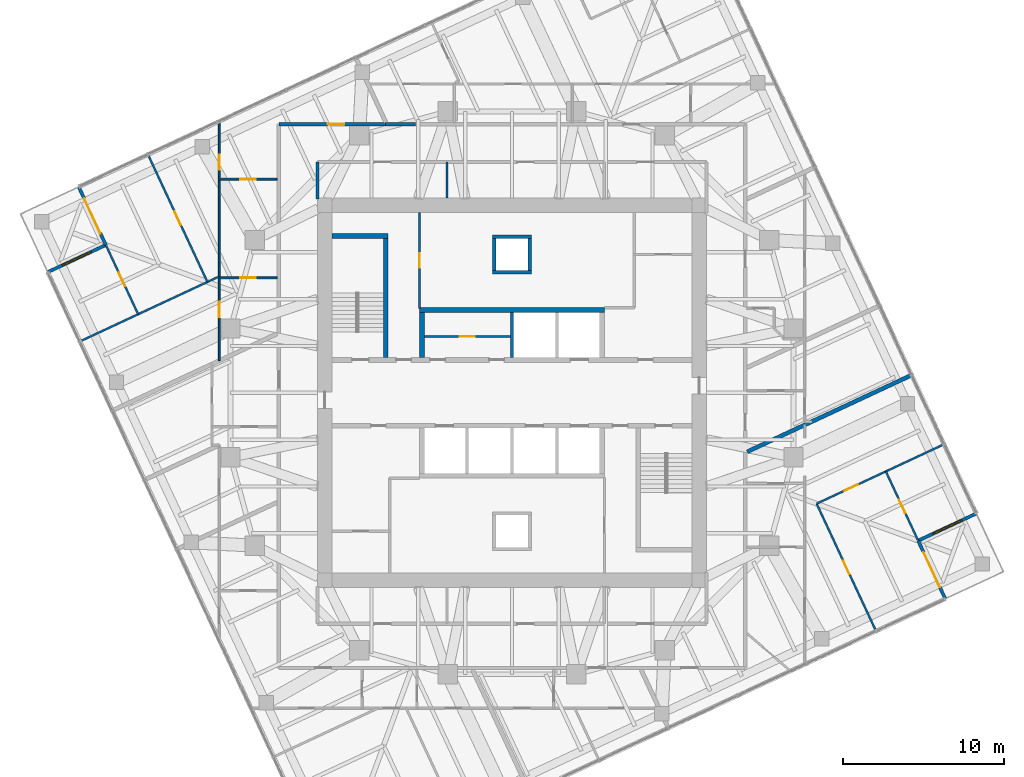
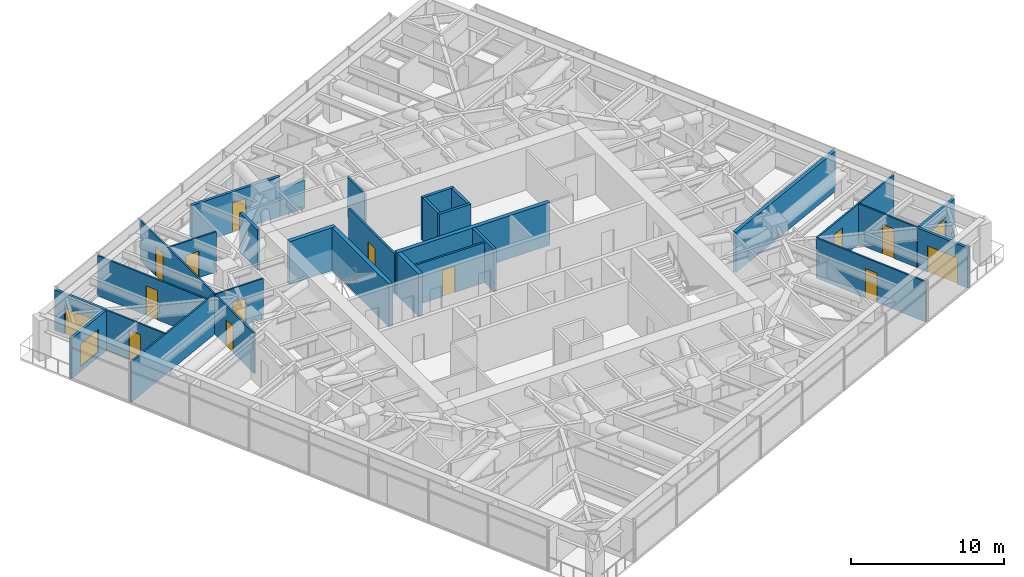
# One storey, part 12 of 16: 29 walls, 14 doors, 2 windows, 16 openings.
"""IFC4 building model written with IfcOpenShell, lengths in metres."""

import ifcopenshell
import ifcopenshell.guid

model = None  # the IFC model being written
_history = None  # IfcOwnerHistory: only IFC2X3 demands one
_inside = {}  # id of a spatial element -> (the spatial element, [elements in it])
_under = {}  # id of a project, library or spatial element -> (it, [spatial elements below it])
_declared = {}  # id of a project -> (the project, [libraries it declares])
_typed = {}  # id of a type object -> (the type object, [elements of that type])
_made_of = {}  # id of a material, layer set ... -> (it, [elements and type objects made of it])


def new_model(schema):
    """Start an empty IFC model of exactly this schema.

    Asked for "IFC4X3", IfcOpenShell would pick the latest addendum, in which some entities
    have other attributes; the version numbers below select the first issue.
    IFC2X3 requires an IfcOwnerHistory on every rooted entity: one is made here for all.
    """
    global model, _history
    if schema == "IFC4X3":
        model = ifcopenshell.file(schema_version=(4, 3, 0, 0))
    else:
        model = ifcopenshell.file(schema=schema)
    _inside.clear()
    _under.clear()
    _declared.clear()
    _typed.clear()
    _made_of.clear()
    _history = None
    if model.schema == "IFC2X3":
        org = make("IfcOrganization", Name="unknown")
        user = make(
            "IfcPersonAndOrganization",
            ThePerson=make("IfcPerson", FamilyName="unknown"),
            TheOrganization=org,
        )
        app = make(
            "IfcApplication",
            ApplicationDeveloper=org,
            Version="unknown",
            ApplicationFullName="unknown",
            ApplicationIdentifier="unknown",
        )
        _history = make(
            "IfcOwnerHistory",
            OwningUser=user,
            OwningApplication=app,
            ChangeAction="ADDED",
            CreationDate=0,
        )
    return model


def make(cls, **values):
    """One entity of the class cls with the attributes given. An attribute that is None is left unset."""
    return model.create_entity(
        cls, **{name: value for name, value in values.items() if value is not None}
    )


def rooted(cls, **values):
    """An entity with a GlobalId (a new one), such as an element, a storey or a relation."""
    return make(cls, GlobalId=ifcopenshell.guid.new(), OwnerHistory=_history, **values)


def si_unit(unit_type, name, prefix=None):
    """IfcSIUnit, for example si_unit("LENGTHUNIT", "METRE", prefix="MILLI")."""
    return make("IfcSIUnit", UnitType=unit_type, Prefix=prefix, Name=name)


def assignment(units):
    """IfcUnitAssignment: the units of a project."""
    return None if units is None else make("IfcUnitAssignment", Units=units)


def point(xyz):
    """IfcCartesianPoint."""
    return None if xyz is None else make("IfcCartesianPoint", Coordinates=xyz)


def direction(xyz):
    """IfcDirection."""
    return None if xyz is None else make("IfcDirection", DirectionRatios=xyz)


def frame(location, z_axis=None, x_axis=None):
    """IfcAxis2Placement3D, a coordinate frame: its origin and axes. An axis left out is left unset."""
    return make(
        "IfcAxis2Placement3D",
        Location=point(location),
        Axis=direction(z_axis),
        RefDirection=direction(x_axis),
    )


def frame_2d(location, x_axis=None):
    """IfcAxis2Placement2D, a coordinate frame in the plane: its origin and x axis."""
    return make(
        "IfcAxis2Placement2D", Location=point(location), RefDirection=direction(x_axis)
    )


def origin():
    """The frame at (0, 0, 0) with its axes left unset."""
    return frame((0.0, 0.0, 0.0))


def place(relative_to, where):
    """IfcLocalPlacement: puts the frame where relative to a parent placement (None: the world)."""
    return make(
        "IfcLocalPlacement", PlacementRelTo=relative_to, RelativePlacement=where
    )


def context(
    kind, dimensions, precision=None, world=None, true_north=None, identifier=None
):
    """IfcGeometricRepresentationContext, for example the 3D "Model" context."""
    return make(
        "IfcGeometricRepresentationContext",
        ContextIdentifier=identifier,
        ContextType=kind,
        CoordinateSpaceDimension=dimensions,
        Precision=precision,
        WorldCoordinateSystem=world,
        TrueNorth=true_north,
    )


def subcontext(parent, identifier, kind, view, scale=None):
    """IfcGeometricRepresentationSubContext, for example "Body" below "Model"."""
    return make(
        "IfcGeometricRepresentationSubContext",
        ContextIdentifier=identifier,
        ContextType=kind,
        ParentContext=parent,
        TargetScale=scale,
        TargetView=view,
    )


def project(units=None, contexts=None):
    """IfcProject with its units and contexts."""
    return rooted(
        "IfcProject",
        Name="project",
        RepresentationContexts=contexts,
        UnitsInContext=assignment(units),
    )


def spatial(cls, under=None, at=None, **own):
    """A site, building, storey or space (cls), placed at a placement, below another one or the project."""
    s = rooted(cls, ObjectPlacement=at, **own)
    if under is not None:
        _under.setdefault(under.id(), (under, []))[1].append(s)
    return s


def profile(cls, at=None, kind="AREA", **sizes):
    """A parametric profile (cls). Its sizes go by their IFC names, for example OverallWidth=200.0."""
    return make(cls, ProfileType=kind, Position=at, **sizes)


def rectangle(**sizes):
    """IfcRectangleProfileDef."""
    return profile("IfcRectangleProfileDef", **sizes)


def extrude(swept, where, along, depth):
    """IfcExtrudedAreaSolid: the profile swept, set in the frame where, extruded along a direction by depth."""
    return make(
        "IfcExtrudedAreaSolid",
        SweptArea=swept,
        Position=where,
        ExtrudedDirection=direction(along),
        Depth=depth,
    )


def shape(context_of_items, identifier, shape_type, items):
    """IfcShapeRepresentation: the items that make up one representation, for example the "Body"."""
    return make(
        "IfcShapeRepresentation",
        ContextOfItems=context_of_items,
        RepresentationIdentifier=identifier,
        RepresentationType=shape_type,
        Items=items,
    )


def material(Name=None, Category=None):
    """IfcMaterial."""
    return make("IfcMaterial", Name=Name, Category=Category)


def layer(
    of_material, thickness, ventilated=None, Name=None, Category=None, Priority=None
):
    """IfcMaterialLayer: one layer of a wall or slab, of a material (None: an air gap)."""
    return make(
        "IfcMaterialLayer",
        Material=of_material,
        LayerThickness=thickness,
        IsVentilated=ventilated,
        Name=Name,
        Category=Category,
        Priority=Priority,
    )


def layer_set(layers, Name=None):
    """IfcMaterialLayerSet."""
    return make("IfcMaterialLayerSet", MaterialLayers=layers, LayerSetName=Name)


def made_of(thing, what):
    """Note that an element or type object is made of a material, layer set ...; save() writes the relation."""
    if what is not None:
        _made_of.setdefault(what.id(), (what, []))[1].append(thing)
    return thing


def type_object(cls, material=None, **own):
    """A type object (cls), such as IfcWallType, which elements share."""
    return made_of(rooted(cls, **own), material)


def element(
    cls,
    number,
    at=None,
    inside=None,
    cuts=None,
    type_object=None,
    material=None,
    context=None,
    identifier="Body",
    shape_type=None,
    held_by="IfcProductDefinitionShape",
    body=None,
    shapes=None,
    **own,
):
    """One element of the class cls, such as IfcWall. Its Tag is "e" and its number.

    at: its placement. inside: the storey or other place that contains it. cuts: it is an
    opening in that element (IfcRelVoidsElement). A single representation is given by context,
    identifier, shape_type and body (its items); several are given by shapes. held_by: the class
    of the entity that holds the representations. save() writes the other relations.
    """
    e = rooted(cls, Tag="e%d" % number, ObjectPlacement=at, **own)
    if body is not None:
        shapes = [shape(context, identifier, shape_type, body)]
    if shapes is not None:
        e.Representation = make(held_by, Representations=shapes)
    if inside is not None:
        _inside.setdefault(inside.id(), (inside, []))[1].append(e)
    if cuts is not None:
        rooted(
            "IfcRelVoidsElement", RelatingBuildingElement=cuts, RelatedOpeningElement=e
        )
    if type_object is not None:
        _typed.setdefault(type_object.id(), (type_object, []))[1].append(e)
    return made_of(e, material)


def fill(opening, filler):
    """IfcRelFillsElement: the door or window that sits in an opening."""
    return rooted(
        "IfcRelFillsElement",
        RelatingOpeningElement=opening,
        RelatedBuildingElement=filler,
    )


def aggregate(whole, parts):
    """IfcRelAggregates: a whole, such as a stair, and the parts it consists of."""
    return rooted("IfcRelAggregates", RelatingObject=whole, RelatedObjects=parts)


def save(model, path):
    """Write the relations noted so far, then the file.

    IfcRelAggregates (storeys below a building ...), IfcRelContainedInSpatialStructure (elements
    in a storey), IfcRelDefinesByType, IfcRelAssociatesMaterial and IfcRelDeclares: one each for
    every whole, place, type object, material and project.
    """
    for whole, parts in _under.values():
        aggregate(whole, parts)
    for where, things in _inside.values():
        rooted(
            "IfcRelContainedInSpatialStructure",
            RelatedElements=things,
            RelatingStructure=where,
        )
    for kind, things in _typed.values():
        rooted("IfcRelDefinesByType", RelatedObjects=things, RelatingType=kind)
    for what, things in _made_of.values():
        rooted("IfcRelAssociatesMaterial", RelatedObjects=things, RelatingMaterial=what)
    for by, libraries in _declared.values():
        rooted("IfcRelDeclares", RelatingContext=by, RelatedDefinitions=libraries)
    model.write(path)


model = new_model("IFC4")

# Units and contexts
model_context = context("Model", 3, precision=1e-05, world=origin(), true_north=direction((0.0, 1.0)))
body_context = subcontext(model_context, "Body", "Model", "MODEL_VIEW")
ifc_project = project(units=[si_unit("LENGTHUNIT", "METRE"), si_unit("AREAUNIT", "SQUARE_METRE"), si_unit("VOLUMEUNIT", "CUBIC_METRE"), si_unit("PLANEANGLEUNIT", "RADIAN"), si_unit("MASSUNIT", "GRAM", prefix="KILO")], contexts=[model_context])

# Site, building, storey
site_placement = place(None, origin())
site = spatial("IfcSite", under=ifc_project, at=site_placement, CompositionType="ELEMENT")
building_placement = place(site_placement, origin())
building = spatial("IfcBuilding", under=site, at=building_placement, Name="Torsade Residences", CompositionType="ELEMENT")
storey_placement = place(building_placement, frame((0.0, 0.0, 199.800048828125)))
storey = spatial("IfcBuildingStorey", under=building, at=storey_placement, Name="L55", CompositionType="ELEMENT", Elevation=199.800048828125)

# Walls
ifc_material_1 = material(Name="Concrete 80 MPa", Category="concrete")
ifc_layer_1 = layer(ifc_material_1, 0.300048828125)
ifc_layer_set_1 = layer_set([ifc_layer_1], Name="Concrete 80 MPa")
wall_type_1 = type_object("IfcWallType", Name="CORE INTERNAL WALL 300", PredefinedType="SHEAR", material=ifc_layer_set_1)
wall_1_placement = place(storey_placement, frame((34.25, 35.14990234375, 0.0), z_axis=(0.0, 0.0, 1.0), x_axis=(1.0, 0.0, 0.0)))
element("IfcWall", 1, at=wall_1_placement, inside=storey, type_object=wall_type_1, Name="Core wall BN L55", PredefinedType="SHEAR", context=body_context, shape_type="SweptSolid", body=[
    extrude(rectangle(XDim=11.5, YDim=0.300048828125, at=frame_2d((5.75, 0.0))), origin(), (0.0, 0.0, 1.0), 3.39990234375),
])
wall_2_placement = place(storey_placement, frame((34.39990234375, 32.199951171875, 0.0), z_axis=(0.0, 0.0, 1.0), x_axis=(0.0, 1.0, 0.0)))
element("IfcWall", 2, at=wall_2_placement, inside=storey, type_object=wall_type_1, Name="Core wall DN0 L55", PredefinedType="SHEAR", context=body_context, shape_type="SweptSolid", body=[
    extrude(rectangle(XDim=2.800048828125, YDim=0.300048828125, at=frame_2d((1.39990234375, 0.0))), origin(), (0.0, 0.0, 1.0), 3.39990234375),
])
wall_3_placement = place(storey_placement, frame((32.14990234375, 32.199951171875, 0.0), z_axis=(0.0, 0.0, 1.0), x_axis=(0.0, 1.0, 0.0)))
element("IfcWall", 3, at=wall_3_placement, inside=storey, type_object=wall_type_1, Name="Core wall ST1E L55", PredefinedType="SHEAR", context=body_context, shape_type="SweptSolid", body=[
    extrude(rectangle(XDim=7.699951171875, YDim=0.300048828125, at=frame_2d((3.85009765625, 0.0))), origin(), (0.0, 0.0, 1.0), 3.39990234375),
])
wall_4_placement = place(storey_placement, frame((28.800048828125, 39.75, 0.0), z_axis=(0.0, 0.0, 1.0), x_axis=(1.0, 0.0, 0.0)))
element("IfcWall", 4, at=wall_4_placement, inside=storey, type_object=wall_type_1, Name="Core wall ST1N L55", PredefinedType="SHEAR", context=body_context, shape_type="SweptSolid", body=[
    extrude(rectangle(XDim=3.5, YDim=0.300048828125, at=frame_2d((1.75, 0.0))), origin(), (0.0, 0.0, 1.0), 3.39990234375),
])
ifc_material_2 = material(Name="Plasterboard on steel stud", Category="steel")
ifc_layer_2 = layer(ifc_material_2, 0.199951171875)
ifc_layer_set_2 = layer_set([ifc_layer_2], Name="Plasterboard on steel stud")
wall_type_2 = type_object("IfcWallType", Name="CORRIDOR WALL 200", PredefinedType="PARTITIONING", material=ifc_layer_set_2)
wall_5_placement = place(storey_placement, frame((34.00341796875, 46.699951171875, 0.0), z_axis=(0.0, 0.0, 1.0), x_axis=(-1.0, 0.0, 0.0)))
element("IfcWall", 5, at=wall_5_placement, inside=storey, type_object=wall_type_2, Name="Corridor wall L55", PredefinedType="PARTITIONING", context=body_context, shape_type="SweptSolid", body=[
    extrude(rectangle(XDim=1.87353515625, YDim=0.199951171875, at=frame_2d((0.936767578125, 0.0))), origin(), (0.0, 0.0, 1.0), 2.199951171875),
])

# Wall, opening, door
wall_6_placement = place(storey_placement, frame((32.1298828125, 46.699951171875, 0.0), z_axis=(0.0, 0.0, 1.0), x_axis=(-1.0, 0.0, 0.0)))
wall_6 = element("IfcWall", 6, at=wall_6_placement, inside=storey, type_object=wall_type_2, Name="Corridor wall L55", PredefinedType="PARTITIONING", context=body_context, shape_type="SweptSolid", body=[
    extrude(rectangle(XDim=6.6298828125, YDim=0.199951171875, at=frame_2d((3.31494140625, 0.0))), origin(), (0.0, 0.0, 1.0), 3.199951171875),
])
opening_1_placement = place(wall_6_placement, frame((2.55224609375, 0.0, 0.0)))
opening_1 = element("IfcOpeningElement", 7, at=opening_1_placement, cuts=wall_6, Name="Opening D01", PredefinedType="OPENING", context=body_context, shape_type="SweptSolid", body=[
    extrude(rectangle(XDim=1.02001953125, YDim=2.340087890625, at=frame_2d((0.510009765625, 1.169921875))), frame((0.0, 0.10986328125, 0.0), z_axis=(0.0, -1.0, 0.0), x_axis=(1.0, 0.0, 0.0)), (0.0, 0.0, 1.0), 0.219970703125),
])
ifc_material_3 = material(Name="Solid-core timber fire door", Category="wood")
door_type_1 = type_object("IfcDoorType", Name="APARTMENT ENTRY DOOR 1020x2340", OperationType="NOTDEFINED", PredefinedType="DOOR", material=ifc_material_3)
door_1_placement = place(opening_1_placement, origin())
door_1 = element("IfcDoor", 8, at=door_1_placement, inside=storey, type_object=door_type_1, Name="Door Residential corridor to Kitchen and dining", OperationType="SINGLE_SWING_LEFT", OverallHeight=2.340087890625, OverallWidth=1.02001953125, PredefinedType="DOOR", context=body_context, shape_type="SweptSolid", body=[
    extrude(rectangle(XDim=1.02001953125, YDim=2.340087890625, at=frame_2d((0.510009765625, 1.169921875))), frame((0.0, 0.02490234375, 0.0), z_axis=(0.0, -1.0, 0.0), x_axis=(1.0, 0.0, 0.0)), (0.0, 0.0, 1.0), 0.050048828125),
])
fill(opening_1, door_1)

# Walls
wall_7_placement = place(storey_placement, frame((27.89990234375, 44.35009765625, 0.0), z_axis=(0.0, 0.0, 1.0), x_axis=(0.0, -1.0, 0.0)))
element("IfcWall", 9, at=wall_7_placement, inside=storey, type_object=wall_type_2, Name="Corridor wall L55", PredefinedType="PARTITIONING", context=body_context, shape_type="SweptSolid", body=[
    extrude(rectangle(XDim=2.300048828125, YDim=0.199951171875, at=frame_2d((1.14990234375, 0.0))), origin(), (0.0, 0.0, 1.0), 3.199951171875),
])
ifc_material_4 = material(Name="Reinforced blockwork", Category="masonry")
ifc_layer_3 = layer(ifc_material_4, 0.199951171875)
ifc_layer_set_3 = layer_set([ifc_layer_3], Name="Reinforced blockwork")
wall_type_3 = type_object("IfcWallType", Name="LIFT SHAFT DIVIDING WALL 200", PredefinedType="SOLIDWALL", material=ifc_layer_set_3)
wall_8_placement = place(storey_placement, frame((40.0, 32.199951171875, 0.0), z_axis=(0.0, 0.0, 1.0), x_axis=(0.0, 1.0, 0.0)))
element("IfcWall", 10, at=wall_8_placement, inside=storey, type_object=wall_type_3, Name="Core wall DN2 L55", PredefinedType="SOLIDWALL", context=body_context, shape_type="SweptSolid", body=[
    extrude(rectangle(XDim=2.800048828125, YDim=0.199951171875, at=frame_2d((1.39990234375, 0.0))), origin(), (0.0, 0.0, 1.0), 3.39990234375),
])

# Wall, opening, door
ifc_material_5 = material(Name="Plasterboard on steel stud", Category="steel")
ifc_layer_4 = layer(ifc_material_5, 0.1201171875)
ifc_layer_set_4 = layer_set([ifc_layer_4], Name="Plasterboard on steel stud")
wall_type_4 = type_object("IfcWallType", Name="PARTITION 120", PredefinedType="PARTITIONING", material=ifc_layer_set_4)
wall_9_placement = place(storey_placement, frame((58.937255859375, 23.107421875, 0.0), z_axis=(0.0, 0.0, 1.0), x_axis=(0.906298398156, 0.422638395676, 0.0)))
wall_9 = element("IfcWall", 11, at=wall_9_placement, inside=storey, type_object=wall_type_4, Name="Partition L55", PredefinedType="PARTITIONING", context=body_context, shape_type="SweptSolid", body=[
    extrude(rectangle(XDim=8.7099609375, YDim=0.1201171875, at=frame_2d((4.35498046875, 0.0))), origin(), (0.0, 0.0, 1.0), 3.199951171875),
])
opening_2_placement = place(wall_9_placement, frame((1.9150390625, 0.0, 0.0)))
opening_2 = element("IfcOpeningElement", 12, at=opening_2_placement, cuts=wall_9, Name="Opening D02", PredefinedType="OPENING", context=body_context, shape_type="SweptSolid", body=[
    extrude(rectangle(XDim=0.919921875, YDim=2.340087890625, at=frame_2d((0.4599609375, 1.169921875))), frame((0.0, 0.070068359375, 0.0), z_axis=(0.0, -1.0, 0.0), x_axis=(1.0, 0.0, 0.0)), (0.0, 0.0, 1.0), 0.14013671875),
])
ifc_material_6 = material(Name="Hollow-core timber door", Category="wood")
door_type_2 = type_object("IfcDoorType", Name="INTERNAL DOOR 920x2340", OperationType="NOTDEFINED", PredefinedType="DOOR", material=ifc_material_6)
door_2_placement = place(opening_2_placement, origin())
door_2 = element("IfcDoor", 13, at=door_2_placement, inside=storey, type_object=door_type_2, Name="Door Living room to Bedroom 1", OperationType="SINGLE_SWING_LEFT", OverallHeight=2.340087890625, OverallWidth=0.919921875, PredefinedType="DOOR", context=body_context, shape_type="SweptSolid", body=[
    extrude(rectangle(XDim=0.919921875, YDim=2.340087890625, at=frame_2d((0.4599609375, 1.169921875))), frame((0.0, 0.02490234375, 0.0), z_axis=(0.0, -1.0, 0.0), x_axis=(1.0, 0.0, 0.0)), (0.0, 0.0, 1.0), 0.050048828125),
])
fill(opening_2, door_2)

wall_10_placement = place(storey_placement, frame((62.6181640625, 15.21337890625, 0.0), z_axis=(0.0, 0.0, 1.0), x_axis=(-0.422604635972, 0.906314140712, 0.0)))
wall_10 = element("IfcWall", 14, at=wall_10_placement, inside=storey, type_object=wall_type_4, Name="Partition L55", PredefinedType="PARTITIONING", context=body_context, shape_type="SweptSolid", body=[
    extrude(rectangle(XDim=8.7099609375, YDim=0.1201171875, at=frame_2d((4.35498046875, 0.0))), origin(), (0.0, 0.0, 1.0), 3.199951171875),
])
opening_3_placement = place(wall_10_placement, frame((3.875, 0.0, 0.0)))
opening_3 = element("IfcOpeningElement", 15, at=opening_3_placement, cuts=wall_10, Name="Opening D02", PredefinedType="OPENING", context=body_context, shape_type="SweptSolid", body=[
    extrude(rectangle(XDim=0.919921875, YDim=2.340087890625, at=frame_2d((0.4599609375, 1.169921875))), frame((0.0, 0.070068359375, 0.0), z_axis=(0.0, -1.0, 0.0), x_axis=(1.0, 0.0, 0.0)), (0.0, 0.0, 1.0), 0.14013671875),
])
door_3_placement = place(opening_3_placement, origin())
door_3 = element("IfcDoor", 16, at=door_3_placement, inside=storey, type_object=door_type_2, Name="Door Bedroom 2 to Living room", OperationType="SINGLE_SWING_RIGHT", OverallHeight=2.340087890625, OverallWidth=0.919921875, PredefinedType="DOOR", context=body_context, shape_type="SweptSolid", body=[
    extrude(rectangle(XDim=0.919921875, YDim=2.340087890625, at=frame_2d((0.4599609375, 1.169921875))), frame((0.0, 0.02490234375, 0.0), z_axis=(0.0, -1.0, 0.0), x_axis=(1.0, 0.0, 0.0)), (0.0, 0.0, 1.0), 0.050048828125),
])
fill(opening_3, door_3)

wall_11_placement = place(storey_placement, frame((63.2421875, 25.114990234375, 0.0), z_axis=(0.0, 0.0, 1.0), x_axis=(0.422601682441, -0.906315517906, 0.0)))
wall_11 = element("IfcWall", 17, at=wall_11_placement, inside=storey, type_object=wall_type_4, Name="Partition L55", PredefinedType="PARTITIONING", context=body_context, shape_type="SweptSolid", body=[
    extrude(rectangle(XDim=4.7099609375, YDim=0.1201171875, at=frame_2d((2.35498046875, 0.0))), origin(), (0.0, 0.0, 1.0), 3.199951171875),
])
opening_4_placement = place(wall_11_placement, frame((1.93994140625, 0.0, 0.0)))
opening_4 = element("IfcOpeningElement", 18, at=opening_4_placement, cuts=wall_11, Name="Opening D02", PredefinedType="OPENING", context=body_context, shape_type="SweptSolid", body=[
    extrude(rectangle(XDim=0.919921875, YDim=2.340087890625, at=frame_2d((0.4599609375, 1.169921875))), frame((0.0, 0.070068359375, 0.0), z_axis=(0.0, -1.0, 0.0), x_axis=(1.0, 0.0, 0.0)), (0.0, 0.0, 1.0), 0.14013671875),
])
door_4_placement = place(opening_4_placement, origin())
door_4 = element("IfcDoor", 19, at=door_4_placement, inside=storey, type_object=door_type_2, Name="Door Living room to Bedroom 3", OperationType="SINGLE_SWING_LEFT", OverallHeight=2.340087890625, OverallWidth=0.919921875, PredefinedType="DOOR", context=body_context, shape_type="SweptSolid", body=[
    extrude(rectangle(XDim=0.919921875, YDim=2.340087890625, at=frame_2d((0.4599609375, 1.169921875))), frame((0.0, 0.02490234375, 0.0), z_axis=(0.0, -1.0, 0.0), x_axis=(1.0, 0.0, 0.0)), (0.0, 0.0, 1.0), 0.050048828125),
])
fill(opening_4, door_4)

wall_12_placement = place(storey_placement, frame((25.39990234375, 43.285888671875, 0.0), z_axis=(0.0, 0.0, 1.0), x_axis=(-1.0, 0.0, 0.0)))
wall_12 = element("IfcWall", 20, at=wall_12_placement, inside=storey, type_object=wall_type_4, Name="Partition L55", PredefinedType="PARTITIONING", context=body_context, shape_type="SweptSolid", body=[
    extrude(rectangle(XDim=3.599853515625, YDim=0.1201171875, at=frame_2d((1.7998046875, 0.0))), origin(), (0.0, 0.0, 1.0), 3.199951171875),
])
opening_5_placement = place(wall_12_placement, frame((1.320068359375, 0.0, 0.0)))
opening_5 = element("IfcOpeningElement", 21, at=opening_5_placement, cuts=wall_12, Name="Opening D05", PredefinedType="OPENING", context=body_context, shape_type="SweptSolid", body=[
    extrude(rectangle(XDim=0.9599609375, YDim=2.10009765625, at=frame_2d((0.47998046875, 1.050048828125))), frame((0.0, 0.070068359375, 0.0), z_axis=(0.0, -1.0, 0.0), x_axis=(1.0, 0.0, 0.0)), (0.0, 0.0, 1.0), 0.14013671875),
])
ifc_material_7 = material(Name="Hollow-core timber door in a steel cavity frame", Category="steel")
door_type_3 = type_object("IfcDoorType", Name="BATHROOM CAVITY SLIDING DOOR 960", OperationType="SLIDING_TO_LEFT", PredefinedType="DOOR", material=ifc_material_7)
door_5_placement = place(opening_5_placement, origin())
door_5 = element("IfcDoor", 22, at=door_5_placement, inside=storey, type_object=door_type_3, Name="Door Kitchen and dining to Bathroom", OperationType="SLIDING_TO_LEFT", OverallHeight=2.10009765625, OverallWidth=0.9599609375, PredefinedType="DOOR", context=body_context, shape_type="SweptSolid", body=[
    extrude(rectangle(XDim=0.9599609375, YDim=2.10009765625, at=frame_2d((0.47998046875, 1.050048828125))), frame((0.0, 0.02490234375, 0.0), z_axis=(0.0, -1.0, 0.0), x_axis=(1.0, 0.0, 0.0)), (0.0, 0.0, 1.0), 0.050048828125),
])
fill(opening_5, door_5)

# Wall, openings, doors
wall_13_placement = place(storey_placement, frame((21.800048828125, 31.995361328125, 0.0), z_axis=(0.0, 0.0, 1.0), x_axis=(0.0, 1.0, 0.0)))
wall_13 = element("IfcWall", 23, at=wall_13_placement, inside=storey, type_object=wall_type_4, Name="Partition L55", PredefinedType="PARTITIONING", context=body_context, shape_type="SweptSolid", body=[
    extrude(rectangle(XDim=14.851318359375, YDim=0.1201171875, at=frame_2d((7.42578125, 0.0))), origin(), (0.0, 0.0, 1.0), 3.199951171875),
])
opening_6_placement = place(wall_13_placement, frame((11.883056640625, 0.0, 0.0)))
opening_6 = element("IfcOpeningElement", 24, at=opening_6_placement, cuts=wall_13, Name="Opening D02", PredefinedType="OPENING", context=body_context, shape_type="SweptSolid", body=[
    extrude(rectangle(XDim=0.919921875, YDim=2.340087890625, at=frame_2d((0.4599609375, 1.169921875))), frame((0.0, 0.070068359375, 0.0), z_axis=(0.0, -1.0, 0.0), x_axis=(1.0, 0.0, 0.0)), (0.0, 0.0, 1.0), 0.14013671875),
])
opening_7_placement = place(wall_13_placement, frame((2.698486328125, 0.0, 0.0)))
opening_7 = element("IfcOpeningElement", 25, at=opening_7_placement, cuts=wall_13, Name="Opening D05", PredefinedType="OPENING", context=body_context, shape_type="SweptSolid", body=[
    extrude(rectangle(XDim=0.9599609375, YDim=2.10009765625, at=frame_2d((0.47998046875, 1.050048828125))), frame((0.0, 0.070068359375, 0.0), z_axis=(0.0, -1.0, 0.0), x_axis=(1.0, 0.0, 0.0)), (0.0, 0.0, 1.0), 0.14013671875),
])
door_6_placement = place(opening_7_placement, origin())
door_6 = element("IfcDoor", 26, at=door_6_placement, inside=storey, type_object=door_type_3, Name="Door Ensuite to Bedroom 1", OperationType="SLIDING_TO_LEFT", OverallHeight=2.10009765625, OverallWidth=0.9599609375, PredefinedType="DOOR", context=body_context, shape_type="SweptSolid", body=[
    extrude(rectangle(XDim=0.9599609375, YDim=2.10009765625, at=frame_2d((0.47998046875, 1.050048828125))), frame((0.0, 0.02490234375, 0.0), z_axis=(0.0, -1.0, 0.0), x_axis=(1.0, 0.0, 0.0)), (0.0, 0.0, 1.0), 0.050048828125),
])
fill(opening_7, door_6)
door_7_placement = place(opening_6_placement, origin())
door_7 = element("IfcDoor", 27, at=door_7_placement, inside=storey, type_object=door_type_2, Name="Door Kitchen and dining to Bedroom 2", OperationType="SINGLE_SWING_RIGHT", OverallHeight=2.340087890625, OverallWidth=0.919921875, PredefinedType="DOOR", context=body_context, shape_type="SweptSolid", body=[
    extrude(rectangle(XDim=0.919921875, YDim=2.340087890625, at=frame_2d((0.4599609375, 1.169921875))), frame((0.0, 0.02490234375, 0.0), z_axis=(0.0, -1.0, 0.0), x_axis=(1.0, 0.0, 0.0)), (0.0, 0.0, 1.0), 0.050048828125),
])
fill(opening_6, door_7)

# Wall, opening, door
wall_14_placement = place(storey_placement, frame((25.39990234375, 37.15234375, 0.0), z_axis=(0.0, 0.0, 1.0), x_axis=(-1.0, 0.0, 0.0)))
wall_14 = element("IfcWall", 28, at=wall_14_placement, inside=storey, type_object=wall_type_4, Name="Partition L55", PredefinedType="PARTITIONING", context=body_context, shape_type="SweptSolid", body=[
    extrude(rectangle(XDim=3.599853515625, YDim=0.1201171875, at=frame_2d((1.7998046875, 0.0))), origin(), (0.0, 0.0, 1.0), 3.199951171875),
])
opening_8_placement = place(wall_14_placement, frame((1.320068359375, 0.0, 0.0)))
opening_8 = element("IfcOpeningElement", 29, at=opening_8_placement, cuts=wall_14, Name="Opening D05", PredefinedType="OPENING", context=body_context, shape_type="SweptSolid", body=[
    extrude(rectangle(XDim=0.9599609375, YDim=2.10009765625, at=frame_2d((0.47998046875, 1.050048828125))), frame((0.0, 0.070068359375, 0.0), z_axis=(0.0, -1.0, 0.0), x_axis=(1.0, 0.0, 0.0)), (0.0, 0.0, 1.0), 0.14013671875),
])
door_8_placement = place(opening_8_placement, origin())
door_8 = element("IfcDoor", 30, at=door_8_placement, inside=storey, type_object=door_type_3, Name="Door Bathroom to Ensuite", OperationType="SLIDING_TO_LEFT", OverallHeight=2.10009765625, OverallWidth=0.9599609375, PredefinedType="DOOR", context=body_context, shape_type="SweptSolid", body=[
    extrude(rectangle(XDim=0.9599609375, YDim=2.10009765625, at=frame_2d((0.47998046875, 1.050048828125))), frame((0.0, 0.02490234375, 0.0), z_axis=(0.0, -1.0, 0.0), x_axis=(1.0, 0.0, 0.0)), (0.0, 0.0, 1.0), 0.050048828125),
])
fill(opening_8, door_8)

# Wall
wall_15_placement = place(storey_placement, frame((21.78515625, 37.2294921875, 0.0), z_axis=(0.0, 0.0, 1.0), x_axis=(-0.906297260976, -0.422640834216, 0.0)))
element("IfcWall", 31, at=wall_15_placement, inside=storey, type_object=wall_type_4, Name="Partition L55", PredefinedType="PARTITIONING", context=body_context, shape_type="SweptSolid", body=[
    extrude(rectangle(XDim=9.507080078125, YDim=0.1201171875, at=frame_2d((4.75341796875, 0.0))), origin(), (0.0, 0.0, 1.0), 3.199951171875),
])

# Wall, opening, door
wall_16_placement = place(storey_placement, frame((16.7578125, 34.885009765625, 0.0), z_axis=(0.0, 0.0, 1.0), x_axis=(-0.422601682441, 0.906315517906, 0.0)))
wall_16 = element("IfcWall", 32, at=wall_16_placement, inside=storey, type_object=wall_type_4, Name="Partition L55", PredefinedType="PARTITIONING", context=body_context, shape_type="SweptSolid", body=[
    extrude(rectangle(XDim=4.7099609375, YDim=0.1201171875, at=frame_2d((2.35498046875, 0.0))), origin(), (0.0, 0.0, 1.0), 3.199951171875),
])
opening_9_placement = place(wall_16_placement, frame((1.93994140625, 0.0, 0.0)))
opening_9 = element("IfcOpeningElement", 33, at=opening_9_placement, cuts=wall_16, Name="Opening D02", PredefinedType="OPENING", context=body_context, shape_type="SweptSolid", body=[
    extrude(rectangle(XDim=0.919921875, YDim=2.340087890625, at=frame_2d((0.4599609375, 1.169921875))), frame((0.0, 0.070068359375, 0.0), z_axis=(0.0, -1.0, 0.0), x_axis=(1.0, 0.0, 0.0)), (0.0, 0.0, 1.0), 0.14013671875),
])
door_9_placement = place(opening_9_placement, origin())
door_9 = element("IfcDoor", 34, at=door_9_placement, inside=storey, type_object=door_type_2, Name="Door Living room to Bedroom 3", OperationType="SINGLE_SWING_LEFT", OverallHeight=2.340087890625, OverallWidth=0.919921875, PredefinedType="DOOR", context=body_context, shape_type="SweptSolid", body=[
    extrude(rectangle(XDim=0.919921875, YDim=2.340087890625, at=frame_2d((0.4599609375, 1.169921875))), frame((0.0, 0.02490234375, 0.0), z_axis=(0.0, -1.0, 0.0), x_axis=(1.0, 0.0, 0.0)), (0.0, 0.0, 1.0), 0.050048828125),
])
fill(opening_9, door_9)

wall_17_placement = place(storey_placement, frame((17.3818359375, 44.78662109375, 0.0), z_axis=(0.0, 0.0, 1.0), x_axis=(0.422604635972, -0.906314140712, 0.0)))
wall_17 = element("IfcWall", 35, at=wall_17_placement, inside=storey, type_object=wall_type_4, Name="Partition L55", PredefinedType="PARTITIONING", context=body_context, shape_type="SweptSolid", body=[
    extrude(rectangle(XDim=8.7099609375, YDim=0.1201171875, at=frame_2d((4.35498046875, 0.0))), origin(), (0.0, 0.0, 1.0), 3.199951171875),
])
opening_10_placement = place(wall_17_placement, frame((3.875, 0.0, 0.0)))
opening_10 = element("IfcOpeningElement", 36, at=opening_10_placement, cuts=wall_17, Name="Opening D02", PredefinedType="OPENING", context=body_context, shape_type="SweptSolid", body=[
    extrude(rectangle(XDim=0.919921875, YDim=2.340087890625, at=frame_2d((0.4599609375, 1.169921875))), frame((0.0, 0.070068359375, 0.0), z_axis=(0.0, -1.0, 0.0), x_axis=(1.0, 0.0, 0.0)), (0.0, 0.0, 1.0), 0.14013671875),
])
door_10_placement = place(opening_10_placement, origin())
door_10 = element("IfcDoor", 37, at=door_10_placement, inside=storey, type_object=door_type_2, Name="Door Bedroom 2 to Living room", OperationType="SINGLE_SWING_RIGHT", OverallHeight=2.340087890625, OverallWidth=0.919921875, PredefinedType="DOOR", context=body_context, shape_type="SweptSolid", body=[
    extrude(rectangle(XDim=0.919921875, YDim=2.340087890625, at=frame_2d((0.4599609375, 1.169921875))), frame((0.0, 0.02490234375, 0.0), z_axis=(0.0, -1.0, 0.0), x_axis=(1.0, 0.0, 0.0)), (0.0, 0.0, 1.0), 0.050048828125),
])
fill(opening_10, door_10)

# Walls
ifc_material_8 = material(Name="Masonry-lined stud party wall", Category="masonry")
ifc_layer_5 = layer(ifc_material_8, 0.25)
ifc_layer_set_5 = layer_set([ifc_layer_5], Name="Masonry-lined stud party wall")
wall_type_5 = type_object("IfcWallType", Name="PARTY WALL 250", PredefinedType="PARTITIONING", material=ifc_layer_set_5)
wall_18_placement = place(storey_placement, frame((64.85986328125, 31.1103515625, 0.0), z_axis=(0.0, 0.0, 1.0), x_axis=(-0.906306714884, -0.422620560972, 0.0)))
element("IfcWall", 38, at=wall_18_placement, inside=storey, type_object=wall_type_5, Name="Party wall L55", PredefinedType="PARTITIONING", context=body_context, shape_type="SweptSolid", body=[
    extrude(rectangle(XDim=11.30224609375, YDim=0.25, at=frame_2d((5.651123046875, 0.0))), origin(), (0.0, 0.0, 1.0), 3.199951171875),
])
ifc_material_9 = material(Name="Reinforced blockwork", Category="masonry")
ifc_layer_6 = layer(ifc_material_9, 0.199951171875)
ifc_layer_set_6 = layer_set([ifc_layer_6], Name="Reinforced blockwork")
wall_type_6 = type_object("IfcWallType", Name="RISER SHAFT WALL 200", PredefinedType="SOLIDWALL", material=ifc_layer_set_6)
for number, where, z_axis, x_axis, name in (
    (39, (38.89990234375, 37.60009765625, 0.0), (0.0, 0.0, 1.0), (0.0, 1.0, 0.0), "Core wall RS1a L55"),
    (40, (41.10009765625, 37.60009765625, 0.0), (0.0, 0.0, 1.0), (0.0, 1.0, 0.0), "Core wall RS1b L55"),
):
    element("IfcWall", number, at=place(storey_placement, frame(where, z_axis=z_axis, x_axis=x_axis)), inside=storey, type_object=wall_type_6, Name=name, PredefinedType="SOLIDWALL", context=body_context, shape_type="SweptSolid", body=[
        extrude(rectangle(XDim=2.0, YDim=0.199951171875, at=frame_2d((1.0, 0.0))), origin(), (0.0, 0.0, 1.0), 3.39990234375),
    ])
for number, where, z_axis, x_axis, name in (
    (41, (38.800048828125, 37.5, 0.0), (0.0, 0.0, 1.0), (1.0, 0.0, 0.0), "Core wall RS1c L55"),
    (42, (38.800048828125, 39.699951171875, 0.0), (0.0, 0.0, 1.0), (1.0, 0.0, 0.0), "Core wall RS1d L55"),
):
    element("IfcWall", number, at=place(storey_placement, frame(where, z_axis=z_axis, x_axis=x_axis)), inside=storey, type_object=wall_type_6, Name=name, PredefinedType="SOLIDWALL", context=body_context, shape_type="SweptSolid", body=[
        extrude(rectangle(XDim=2.39990234375, YDim=0.199951171875, at=frame_2d((1.199951171875, 0.0))), origin(), (0.0, 0.0, 1.0), 3.39990234375),
    ])

# Wall, opening, door
ifc_material_10 = material(Name="Reinforced blockwork", Category="masonry")
ifc_layer_7 = layer(ifc_material_10, 0.14990234375)
ifc_layer_set_7 = layer_set([ifc_layer_7], Name="Reinforced blockwork")
wall_type_7 = type_object("IfcWallType", Name="SERVICE ROOM WALL 150", PredefinedType="SOLIDWALL", material=ifc_layer_set_7)
wall_19_placement = place(storey_placement, frame((34.25, 41.199951171875, 0.0), z_axis=(0.0, 0.0, 1.0), x_axis=(0.0, -1.0, 0.0)))
wall_19 = element("IfcWall", 43, at=wall_19_placement, inside=storey, type_object=wall_type_7, Name="Service room wall L55", PredefinedType="SOLIDWALL", context=body_context, shape_type="SweptSolid", body=[
    extrude(rectangle(XDim=5.949951171875, YDim=0.14990234375, at=frame_2d((2.97509765625, 0.0))), origin(), (0.0, 0.0, 1.0), 3.199951171875),
])
opening_11_placement = place(wall_19_placement, frame((2.514892578125, 0.0, 0.0)))
opening_11 = element("IfcOpeningElement", 44, at=opening_11_placement, cuts=wall_19, Name="Opening D06", PredefinedType="OPENING", context=body_context, shape_type="SweptSolid", body=[
    extrude(rectangle(XDim=0.919921875, YDim=2.10009765625, at=frame_2d((0.4599609375, 1.050048828125))), frame((0.0, 0.0849609375, 0.0), z_axis=(0.0, -1.0, 0.0), x_axis=(1.0, 0.0, 0.0)), (0.0, 0.0, 1.0), 0.169921875),
])
ifc_material_11 = material(Name="Steel-framed fire door", Category="steel")
door_type_4 = type_object("IfcDoorType", Name="FIRE DOOR 920", OperationType="NOTDEFINED", PredefinedType="DOOR", material=ifc_material_11)
door_11_placement = place(opening_11_placement, origin())
door_11 = element("IfcDoor", 45, at=door_11_placement, inside=storey, type_object=door_type_4, Name="Door Main switchboard store to Electrical riser room", OperationType="SINGLE_SWING_LEFT", OverallHeight=2.10009765625, OverallWidth=0.919921875, PredefinedType="DOOR", context=body_context, shape_type="SweptSolid", body=[
    extrude(rectangle(XDim=0.919921875, YDim=2.10009765625, at=frame_2d((0.4599609375, 1.050048828125))), frame((0.0, 0.02490234375, 0.0), z_axis=(0.0, -1.0, 0.0), x_axis=(1.0, 0.0, 0.0)), (0.0, 0.0, 1.0), 0.050048828125),
])
fill(opening_11, door_11)

# Wall
wall_20_placement = place(storey_placement, frame((35.95849609375, 42.10009765625, 0.0), z_axis=(0.0, 0.0, 1.0), x_axis=(0.0, 1.0, 0.0)))
element("IfcWall", 46, at=wall_20_placement, inside=storey, type_object=wall_type_7, Name="Service room wall L55", PredefinedType="SOLIDWALL", context=body_context, shape_type="SweptSolid", body=[
    extrude(rectangle(XDim=2.25, YDim=0.14990234375, at=frame_2d((1.125, 0.0))), origin(), (0.0, 0.0, 1.0), 3.199951171875),
])

# Wall, opening, door
wall_21_placement = place(storey_placement, frame((34.550048828125, 33.5, 0.0), z_axis=(0.0, 0.0, 1.0), x_axis=(1.0, 0.0, 0.0)))
wall_21 = element("IfcWall", 47, at=wall_21_placement, inside=storey, type_object=wall_type_7, Name="Service room wall L55", PredefinedType="SOLIDWALL", context=body_context, shape_type="SweptSolid", body=[
    extrude(rectangle(XDim=5.349853515625, YDim=0.14990234375, at=frame_2d((2.6748046875, 0.0))), origin(), (0.0, 0.0, 1.0), 3.199951171875),
])
opening_12_placement = place(wall_21_placement, frame((2.215087890625, 0.0, 0.0)))
opening_12 = element("IfcOpeningElement", 48, at=opening_12_placement, cuts=wall_21, Name="Opening D06", PredefinedType="OPENING", context=body_context, shape_type="SweptSolid", body=[
    extrude(rectangle(XDim=0.919921875, YDim=2.10009765625, at=frame_2d((0.4599609375, 1.050048828125))), frame((0.0, 0.0849609375, 0.0), z_axis=(0.0, -1.0, 0.0), x_axis=(1.0, 0.0, 0.0)), (0.0, 0.0, 1.0), 0.169921875),
])
door_12_placement = place(opening_12_placement, origin())
door_12 = element("IfcDoor", 49, at=door_12_placement, inside=storey, type_object=door_type_4, Name="Door Parcel room L55A to Records store L55B", OperationType="SINGLE_SWING_RIGHT", OverallHeight=2.10009765625, OverallWidth=0.919921875, PredefinedType="DOOR", context=body_context, shape_type="SweptSolid", body=[
    extrude(rectangle(XDim=0.919921875, YDim=2.10009765625, at=frame_2d((0.4599609375, 1.050048828125))), frame((0.0, 0.02490234375, 0.0), z_axis=(0.0, -1.0, 0.0), x_axis=(1.0, 0.0, 0.0)), (0.0, 0.0, 1.0), 0.050048828125),
])
fill(opening_12, door_12)

ifc_material_12 = material(Name="Stone-faced precast concrete 40 MPa panel", Category="masonry")
ifc_layer_8 = layer(ifc_material_12, 0.199951171875)
ifc_layer_set_8 = layer_set([ifc_layer_8], Name="Stone-faced precast concrete 40 MPa panel")
wall_type_8 = type_object("IfcWallType", Name="TERRACE WALL 200", PredefinedType="SOLIDWALL", material=ifc_layer_set_8)
wall_22_placement = place(storey_placement, frame((66.940185546875, 17.1845703125, 0.0), z_axis=(0.0, 0.0, 1.0), x_axis=(-0.422658246362, 0.906289140828, 0.0)))
wall_22 = element("IfcWall", 50, at=wall_22_placement, inside=storey, type_object=wall_type_8, Name="Terrace wall L55 2", PredefinedType="SOLIDWALL", context=body_context, shape_type="SweptSolid", body=[
    extrude(rectangle(XDim=4.0, YDim=0.199951171875, at=frame_2d((2.0, 0.0))), origin(), (0.0, 0.0, 1.0), 3.199951171875),
])
opening_13_placement = place(wall_22_placement, frame((0.800048828125, 0.0, 0.0)))
opening_13 = element("IfcOpeningElement", 51, at=opening_13_placement, cuts=wall_22, Name="Opening D10A", PredefinedType="OPENING", context=body_context, shape_type="SweptSolid", body=[
    extrude(rectangle(XDim=2.39990234375, YDim=2.10009765625, at=frame_2d((1.199951171875, 1.050048828125))), frame((0.0, 0.10986328125, 0.0), z_axis=(0.0, -1.0, 0.0), x_axis=(1.0, 0.0, 0.0)), (0.0, 0.0, 1.0), 0.219970703125),
])
ifc_material_13 = material(Name="Aluminium-framed glass door", Category="aluminium")
door_type_5 = type_object("IfcDoorType", Name="TERRACE SLIDING DOOR 2400x2100", OperationType="SLIDING_TO_LEFT", PredefinedType="DOOR", material=ifc_material_13)
door_13_placement = place(opening_13_placement, origin())
door_13 = element("IfcDoor", 52, at=door_13_placement, inside=storey, type_object=door_type_5, Name="Terrace door L55 2", OperationType="SLIDING_TO_LEFT", OverallHeight=2.10009765625, OverallWidth=2.39990234375, PredefinedType="DOOR", context=body_context, shape_type="SweptSolid", body=[
    extrude(rectangle(XDim=2.39990234375, YDim=2.10009765625, at=frame_2d((1.199951171875, 1.050048828125))), frame((0.0, 0.02490234375, 0.0), z_axis=(0.0, -1.0, 0.0), x_axis=(1.0, 0.0, 0.0)), (0.0, 0.0, 1.0), 0.050048828125),
])
fill(opening_13, door_13)

# Wall, opening, window
wall_23_placement = place(storey_placement, frame((65.24951171875, 20.809814453125, 0.0), z_axis=(0.0, 0.0, 1.0), x_axis=(0.906289140828, 0.422658246362, 0.0)))
wall_23 = element("IfcWall", 53, at=wall_23_placement, inside=storey, type_object=wall_type_8, Name="Terrace wall L55 3", PredefinedType="SOLIDWALL", context=body_context, shape_type="SweptSolid", body=[
    extrude(rectangle(XDim=4.0, YDim=0.199951171875, at=frame_2d((2.0, 0.0))), origin(), (0.0, 0.0, 1.0), 3.199951171875),
])
opening_14_placement = place(wall_23_placement, frame((1.0, 0.0, 0.39990234375)))
opening_14 = element("IfcOpeningElement", 54, at=opening_14_placement, cuts=wall_23, Name="Opening W1B", PredefinedType="OPENING", context=body_context, shape_type="SweptSolid", body=[
    extrude(rectangle(XDim=2.0, YDim=1.800048828125, at=frame_2d((1.0, 0.89990234375))), frame((0.0, 0.10986328125, 0.0), z_axis=(0.0, -1.0, 0.0), x_axis=(1.0, 0.0, 0.0)), (0.0, 0.0, 1.0), 0.219970703125),
])
ifc_material_14 = material(Name="Aluminium-framed glass window", Category="aluminium")
window_type = type_object("IfcWindowType", Name="TERRACE WINDOW 2000x1800", PartitioningType="SINGLE_PANEL", PredefinedType="WINDOW", material=ifc_material_14)
window_1_placement = place(opening_14_placement, origin())
window_1 = element("IfcWindow", 55, at=window_1_placement, inside=storey, type_object=window_type, Name="Terrace window L55 3", OverallHeight=1.800048828125, OverallWidth=2.0, PartitioningType="SINGLE_PANEL", PredefinedType="WINDOW", context=body_context, shape_type="SweptSolid", body=[
    extrude(rectangle(XDim=2.0, YDim=1.800048828125, at=frame_2d((1.0, 0.89990234375))), frame((0.0, 0.030029296875, 0.0), z_axis=(0.0, -1.0, 0.0), x_axis=(1.0, 0.0, 0.0)), (0.0, 0.0, 1.0), 0.06005859375),
])
fill(opening_14, window_1)

# Wall, opening, door
wall_24_placement = place(storey_placement, frame((13.059814453125, 42.8154296875, 0.0), z_axis=(0.0, 0.0, 1.0), x_axis=(0.422658246362, -0.906289140828, 0.0)))
wall_24 = element("IfcWall", 56, at=wall_24_placement, inside=storey, type_object=wall_type_8, Name="Terrace wall L55 8", PredefinedType="SOLIDWALL", context=body_context, shape_type="SweptSolid", body=[
    extrude(rectangle(XDim=4.0, YDim=0.199951171875, at=frame_2d((2.0, 0.0))), origin(), (0.0, 0.0, 1.0), 3.199951171875),
])
opening_15_placement = place(wall_24_placement, frame((0.800048828125, 0.0, 0.0)))
opening_15 = element("IfcOpeningElement", 57, at=opening_15_placement, cuts=wall_24, Name="Opening D10A", PredefinedType="OPENING", context=body_context, shape_type="SweptSolid", body=[
    extrude(rectangle(XDim=2.39990234375, YDim=2.10009765625, at=frame_2d((1.199951171875, 1.050048828125))), frame((0.0, 0.10986328125, 0.0), z_axis=(0.0, -1.0, 0.0), x_axis=(1.0, 0.0, 0.0)), (0.0, 0.0, 1.0), 0.219970703125),
])
door_14_placement = place(opening_15_placement, origin())
door_14 = element("IfcDoor", 58, at=door_14_placement, inside=storey, type_object=door_type_5, Name="Terrace door L55 8", OperationType="SLIDING_TO_LEFT", OverallHeight=2.10009765625, OverallWidth=2.39990234375, PredefinedType="DOOR", context=body_context, shape_type="SweptSolid", body=[
    extrude(rectangle(XDim=2.39990234375, YDim=2.10009765625, at=frame_2d((1.199951171875, 1.050048828125))), frame((0.0, 0.02490234375, 0.0), z_axis=(0.0, -1.0, 0.0), x_axis=(1.0, 0.0, 0.0)), (0.0, 0.0, 1.0), 0.050048828125),
])
fill(opening_15, door_14)

# Wall, opening, window
wall_25_placement = place(storey_placement, frame((14.75048828125, 39.190185546875, 0.0), z_axis=(0.0, 0.0, 1.0), x_axis=(-0.906289140828, -0.422658246362, 0.0)))
wall_25 = element("IfcWall", 59, at=wall_25_placement, inside=storey, type_object=wall_type_8, Name="Terrace wall L55 9", PredefinedType="SOLIDWALL", context=body_context, shape_type="SweptSolid", body=[
    extrude(rectangle(XDim=4.0, YDim=0.199951171875, at=frame_2d((2.0, 0.0))), origin(), (0.0, 0.0, 1.0), 3.199951171875),
])
opening_16_placement = place(wall_25_placement, frame((1.0, 0.0, 0.39990234375)))
opening_16 = element("IfcOpeningElement", 60, at=opening_16_placement, cuts=wall_25, Name="Opening W1B", PredefinedType="OPENING", context=body_context, shape_type="SweptSolid", body=[
    extrude(rectangle(XDim=2.0, YDim=1.800048828125, at=frame_2d((1.0, 0.89990234375))), frame((0.0, 0.10986328125, 0.0), z_axis=(0.0, -1.0, 0.0), x_axis=(1.0, 0.0, 0.0)), (0.0, 0.0, 1.0), 0.219970703125),
])
window_2_placement = place(opening_16_placement, origin())
window_2 = element("IfcWindow", 61, at=window_2_placement, inside=storey, type_object=window_type, Name="Terrace window L55 9", OverallHeight=1.800048828125, OverallWidth=2.0, PartitioningType="SINGLE_PANEL", PredefinedType="WINDOW", context=body_context, shape_type="SweptSolid", body=[
    extrude(rectangle(XDim=2.0, YDim=1.800048828125, at=frame_2d((1.0, 0.89990234375))), frame((0.0, 0.030029296875, 0.0), z_axis=(0.0, -1.0, 0.0), x_axis=(1.0, 0.0, 0.0)), (0.0, 0.0, 1.0), 0.06005859375),
])
fill(opening_16, window_2)

save(model, "model.ifc")
